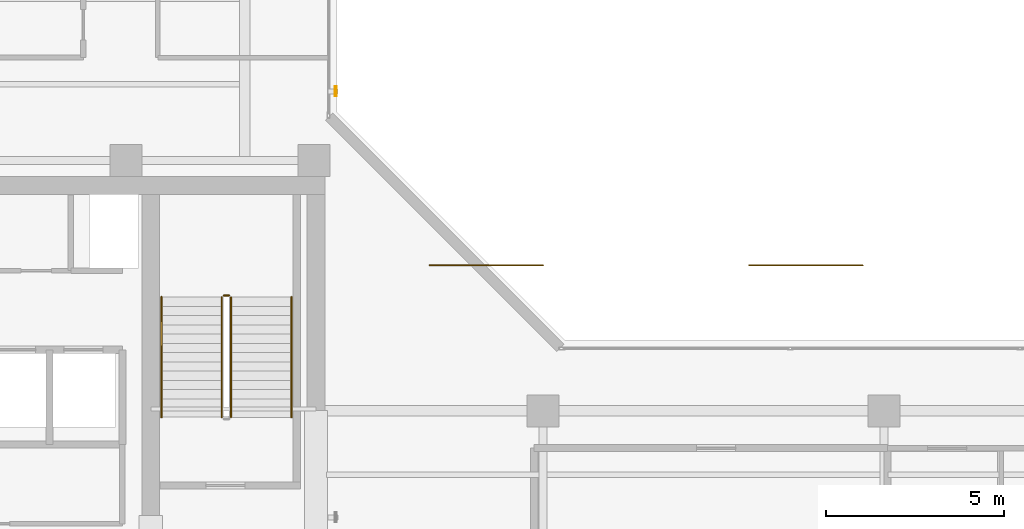
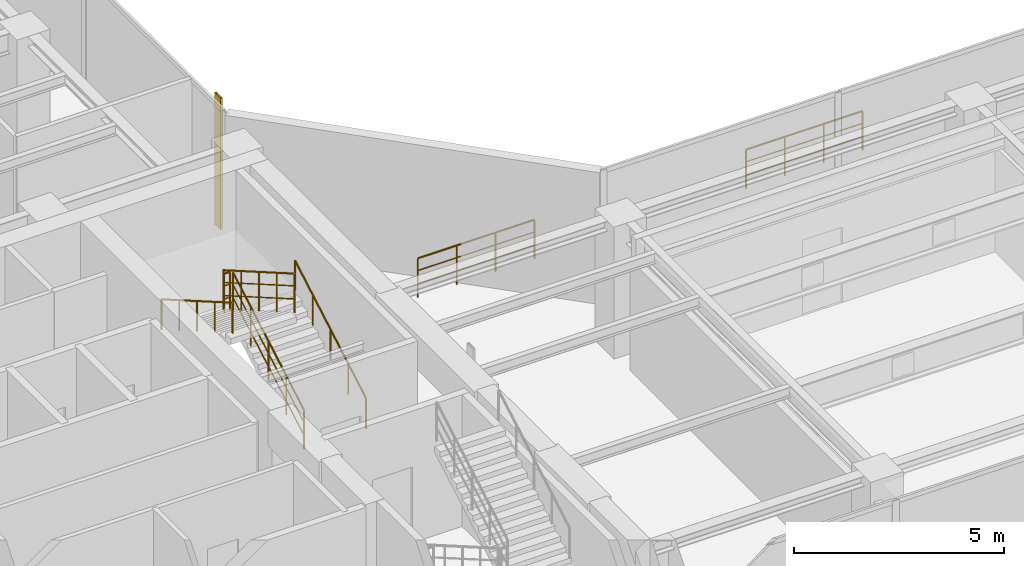
# One storey, part 30 of 32: 7 railings, 1 shading device.
"""IFC4 building model written with IfcOpenShell, lengths in metres."""

from ifc_helpers import new_model, si_unit, direction, frame, origin, origin_2d, place, context, subcontext, project, spatial, hollow_rectangle, circle, extrude, material, material_profile, profile_set, type_object, element, save


model = new_model("IFC4")

# Units and contexts
model_context = context("Model", 3, precision=1e-05, world=origin(), true_north=direction((0.0, 1.0)))
body_context = subcontext(model_context, "Body", "Model", "MODEL_VIEW")
ifc_project = project(units=[si_unit("LENGTHUNIT", "METRE"), si_unit("AREAUNIT", "SQUARE_METRE"), si_unit("VOLUMEUNIT", "CUBIC_METRE"), si_unit("PLANEANGLEUNIT", "RADIAN"), si_unit("MASSUNIT", "GRAM", prefix="KILO")], contexts=[model_context])

# Site, building, storey
site_placement = place(None, origin())
site = spatial("IfcSite", under=ifc_project, at=site_placement, CompositionType="ELEMENT")
building_placement = place(site_placement, origin())
building = spatial("IfcBuilding", under=site, at=building_placement, Name="Kolvaren Waterfront Exchange", CompositionType="ELEMENT")
storey_placement = place(building_placement, frame((0.0, 0.0, 352.0)))
storey = spatial("IfcBuildingStorey", under=building, at=storey_placement, Name="L90", CompositionType="ELEMENT", Elevation=352.0)

# Railings
ifc_material_1 = material(Name="Anodised bronze aluminium and laminated glass", Category="aluminium")
railing_type_1 = type_object("IfcRailingType", Name="ARC-BALUSTRADE-1150", PredefinedType="BALUSTRADE", material=ifc_material_1)
for number, where, name in (
    (1, (24.0, 21.5, 0.0), "L90 gallery balustrade 1"),
    (2, (33.0, 21.5, 0.0), "L90 gallery balustrade 2"),
):
    element("IfcRailing", number, at=place(storey_placement, frame(where)), inside=storey, type_object=railing_type_1, Name=name, PredefinedType="BALUSTRADE", context=body_context, shape_type="SweptSolid", body=[
        extrude(circle(Radius=0.02392578125, at=origin_2d()), frame((0.0, 0.0, 1.1259765625), z_axis=(1.0, 0.0, 0.0), x_axis=(0.0, 1.0, 0.0)), (0.0, 0.0, 1.0), 3.199951171875),
        extrude(circle(Radius=0.01611328125, at=origin_2d()), frame((0.0, 0.0, 0.390869140625), z_axis=(1.0, 0.0, 0.0), x_axis=(0.0, 1.0, 0.0)), (0.0, 0.0, 1.0), 3.199951171875),
        extrude(circle(Radius=0.01611328125, at=origin_2d()), frame((0.0, 0.0, 0.7705078125), z_axis=(1.0, 0.0, 0.0), x_axis=(0.0, 1.0, 0.0)), (0.0, 0.0, 1.0), 3.199951171875),
        extrude(circle(Radius=0.02099609375, at=origin_2d()), origin(), (0.0, 0.0, 1.0), 1.101806640625),
        extrude(circle(Radius=0.02099609375, at=origin_2d()), frame((1.066650390625, 0.0, 0.0)), (0.0, 0.0, 1.0), 1.101806640625),
        extrude(circle(Radius=0.02099609375, at=origin_2d()), frame((2.13330078125, 0.0, 0.0)), (0.0, 0.0, 1.0), 1.101806640625),
        extrude(circle(Radius=0.02099609375, at=origin_2d()), frame((3.199951171875, 0.0, 0.0)), (0.0, 0.0, 1.0), 1.101806640625),
    ])

# Shading device
ifc_material_2 = material(Name="Anodised bronze aluminium 6063-T6", Category="aluminium")
ifc_material_profile = material_profile(ifc_material_2, hollow_rectangle(XDim=0.054931640625, YDim=0.280029296875, WallThickness=0.00439453125, at=origin_2d()), Name="BRZ-FIN-280x55x4.5")
ifc_profile_set = profile_set([ifc_material_profile], Name="Anodised bronze aluminium 6063-T6")
shading_device_type = type_object("IfcShadingDeviceType", Name="ARC-FIN-280", PredefinedType="USERDEFINED", material=ifc_profile_set)
shading_device_placement = place(storey_placement, frame((21.360107421875, 26.39990234375, 0.0), z_axis=(0.0, 0.0, 1.0), x_axis=(1.0, 0.0, 0.0)))
element("IfcShadingDevice", 3, at=shading_device_placement, inside=storey, type_object=shading_device_type, Name="L90 anodised bronze solar shading fin FIN-L90-E2", ObjectType="SOLAR FIN", PredefinedType="USERDEFINED", context=body_context, shape_type="SweptSolid", body=[
    extrude(hollow_rectangle(XDim=0.054931640625, YDim=0.280029296875, WallThickness=0.00439453125, at=origin_2d()), origin(), (0.0, 0.0, 1.0), 3.820068359375),
])

# Railings
ifc_material_3 = material(Name="Stainless steel 316", Category="steel")
railing_type_2 = type_object("IfcRailingType", Name="ARC-GUARD-STAIR", PredefinedType="GUARDRAIL", material=ifc_material_3)
railing_1_placement = place(storey_placement, frame((18.409912109375, 17.219970703125, 0.14990234375)))
element("IfcRailing", 4, at=railing_1_placement, inside=storey, type_object=railing_type_2, Name="L90 ST2 stair guard 1", PredefinedType="GUARDRAIL", context=body_context, shape_type="SweptSolid", body=[
    extrude(circle(Radius=0.02392578125, at=origin_2d()), frame((0.0, 0.0, 1.1259765625), z_axis=(0.0, 0.866172045657, 0.499745922767), x_axis=(-1.0, 0.0, 0.0)), (0.0, 0.0, 1.0), 3.90234375),
    extrude(circle(Radius=0.01611328125, at=origin_2d()), frame((0.0, 0.0, 0.390869140625), z_axis=(0.0, 0.866172045657, 0.499745922767), x_axis=(-1.0, 0.0, 0.0)), (0.0, 0.0, 1.0), 3.90234375),
    extrude(circle(Radius=0.01611328125, at=origin_2d()), frame((0.0, 0.0, 0.7705078125), z_axis=(0.0, 0.866172045657, 0.499745922767), x_axis=(-1.0, 0.0, 0.0)), (0.0, 0.0, 1.0), 3.90234375),
    extrude(circle(Radius=0.02099609375, at=origin_2d()), origin(), (0.0, 0.0, 1.0), 1.101806640625),
    extrude(circle(Radius=0.02099609375, at=origin_2d()), frame((0.0, 0.844970703125, 0.487548828125)), (0.0, 0.0, 1.0), 1.101806640625),
    extrude(circle(Radius=0.02099609375, at=origin_2d()), frame((0.0, 1.68994140625, 0.97509765625)), (0.0, 0.0, 1.0), 1.101806640625),
    extrude(circle(Radius=0.02099609375, at=origin_2d()), frame((0.0, 2.53515625, 1.462646484375)), (0.0, 0.0, 1.0), 1.101806640625),
    extrude(circle(Radius=0.02099609375, at=origin_2d()), frame((0.0, 3.380126953125, 1.9501953125)), (0.0, 0.0, 1.0), 1.101806640625),
])
railing_2_placement = place(storey_placement, frame((18.360107421875, 20.64990234375, 2.10009765625)))
element("IfcRailing", 5, at=railing_2_placement, inside=storey, type_object=railing_type_2, Name="L90 ST2 stair guard 2", PredefinedType="GUARDRAIL", context=body_context, shape_type="SweptSolid", body=[
    extrude(circle(Radius=0.02392578125, at=origin_2d()), frame((0.0, 0.0, 1.1259765625), z_axis=(-1.0, 0.0, 0.0), x_axis=(0.0, -1.0, 0.0)), (0.0, 0.0, 1.0), 0.16015625),
    extrude(circle(Radius=0.01611328125, at=origin_2d()), frame((0.0, 0.0, 0.390869140625), z_axis=(-1.0, 0.0, 0.0), x_axis=(0.0, -1.0, 0.0)), (0.0, 0.0, 1.0), 0.16015625),
    extrude(circle(Radius=0.01611328125, at=origin_2d()), frame((0.0, 0.0, 0.7705078125), z_axis=(-1.0, 0.0, 0.0), x_axis=(0.0, -1.0, 0.0)), (0.0, 0.0, 1.0), 0.16015625),
    extrude(circle(Radius=0.02099609375, at=origin_2d()), origin(), (0.0, 0.0, 1.0), 1.101806640625),
    extrude(circle(Radius=0.02099609375, at=origin_2d()), frame((-0.16015625, 0.0, 0.0)), (0.0, 0.0, 1.0), 1.101806640625),
])
railing_3_placement = place(storey_placement, frame((18.14990234375, 20.60009765625, 2.25)))
element("IfcRailing", 6, at=railing_3_placement, inside=storey, type_object=railing_type_2, Name="L90 ST2 stair guard 3", PredefinedType="GUARDRAIL", context=body_context, shape_type="SweptSolid", body=[
    extrude(circle(Radius=0.02392578125, at=origin_2d()), frame((0.0, 0.0, 1.1259765625), z_axis=(0.0, -0.866199126228, 0.499698983112), x_axis=(1.0, 0.0, 0.0)), (0.0, 0.0, 1.0), 3.90234375),
    extrude(circle(Radius=0.01611328125, at=origin_2d()), frame((0.0, 0.0, 0.390869140625), z_axis=(0.0, -0.866199126228, 0.499698983112), x_axis=(1.0, 0.0, 0.0)), (0.0, 0.0, 1.0), 3.90234375),
    extrude(circle(Radius=0.01611328125, at=origin_2d()), frame((0.0, 0.0, 0.7705078125), z_axis=(0.0, -0.866199126228, 0.499698983112), x_axis=(1.0, 0.0, 0.0)), (0.0, 0.0, 1.0), 3.90234375),
    extrude(circle(Radius=0.02099609375, at=origin_2d()), origin(), (0.0, 0.0, 1.0), 1.101806640625),
    extrude(circle(Radius=0.02099609375, at=origin_2d()), frame((0.0, -0.844970703125, 0.487548828125)), (0.0, 0.0, 1.0), 1.101806640625),
    extrude(circle(Radius=0.02099609375, at=origin_2d()), frame((0.0, -1.68994140625, 0.97509765625)), (0.0, 0.0, 1.0), 1.101806640625),
    extrude(circle(Radius=0.02099609375, at=origin_2d()), frame((0.0, -2.53515625, 1.46240234375)), (0.0, 0.0, 1.0), 1.101806640625),
    extrude(circle(Radius=0.02099609375, at=origin_2d()), frame((0.0, -3.380126953125, 1.949951171875)), (0.0, 0.0, 1.0), 1.101806640625),
])
railing_type_3 = type_object("IfcRailingType", Name="ARC-HANDRAIL-900", PredefinedType="HANDRAIL", material=ifc_material_3)
railing_4_placement = place(storey_placement, frame((20.110107421875, 17.219970703125, 0.14990234375)))
element("IfcRailing", 7, at=railing_4_placement, inside=storey, type_object=railing_type_3, Name="L90 ST2 stair handrail 1", PredefinedType="HANDRAIL", context=body_context, shape_type="SweptSolid", body=[
    extrude(circle(Radius=0.02392578125, at=origin_2d()), frame((0.0, 0.0, 0.8759765625), z_axis=(0.0, 0.866172045657, 0.499745922767), x_axis=(-1.0, 0.0, 0.0)), (0.0, 0.0, 1.0), 3.90234375),
    extrude(circle(Radius=0.02099609375, at=origin_2d()), origin(), (0.0, 0.0, 1.0), 0.851806640625),
    extrude(circle(Radius=0.02099609375, at=origin_2d()), frame((0.0, 0.844970703125, 0.487548828125)), (0.0, 0.0, 1.0), 0.851806640625),
    extrude(circle(Radius=0.02099609375, at=origin_2d()), frame((0.0, 1.68994140625, 0.97509765625)), (0.0, 0.0, 1.0), 0.851806640625),
    extrude(circle(Radius=0.02099609375, at=origin_2d()), frame((0.0, 2.53515625, 1.462646484375)), (0.0, 0.0, 1.0), 0.851806640625),
    extrude(circle(Radius=0.02099609375, at=origin_2d()), frame((0.0, 3.380126953125, 1.9501953125)), (0.0, 0.0, 1.0), 0.851806640625),
])
railing_5_placement = place(storey_placement, frame((16.449951171875, 20.60009765625, 2.25)))
element("IfcRailing", 8, at=railing_5_placement, inside=storey, type_object=railing_type_3, Name="L90 ST2 stair handrail 2", PredefinedType="HANDRAIL", context=body_context, shape_type="SweptSolid", body=[
    extrude(circle(Radius=0.02392578125, at=origin_2d()), frame((0.0, 0.0, 0.8759765625), z_axis=(0.0, -0.866199126228, 0.499698983112), x_axis=(1.0, 0.0, 0.0)), (0.0, 0.0, 1.0), 3.90234375),
    extrude(circle(Radius=0.02099609375, at=origin_2d()), origin(), (0.0, 0.0, 1.0), 0.851806640625),
    extrude(circle(Radius=0.02099609375, at=origin_2d()), frame((0.0, -0.844970703125, 0.487548828125)), (0.0, 0.0, 1.0), 0.851806640625),
    extrude(circle(Radius=0.02099609375, at=origin_2d()), frame((0.0, -1.68994140625, 0.97509765625)), (0.0, 0.0, 1.0), 0.851806640625),
    extrude(circle(Radius=0.02099609375, at=origin_2d()), frame((0.0, -2.53515625, 1.46240234375)), (0.0, 0.0, 1.0), 0.851806640625),
    extrude(circle(Radius=0.02099609375, at=origin_2d()), frame((0.0, -3.380126953125, 1.949951171875)), (0.0, 0.0, 1.0), 0.851806640625),
])

save(model, "model.ifc")
